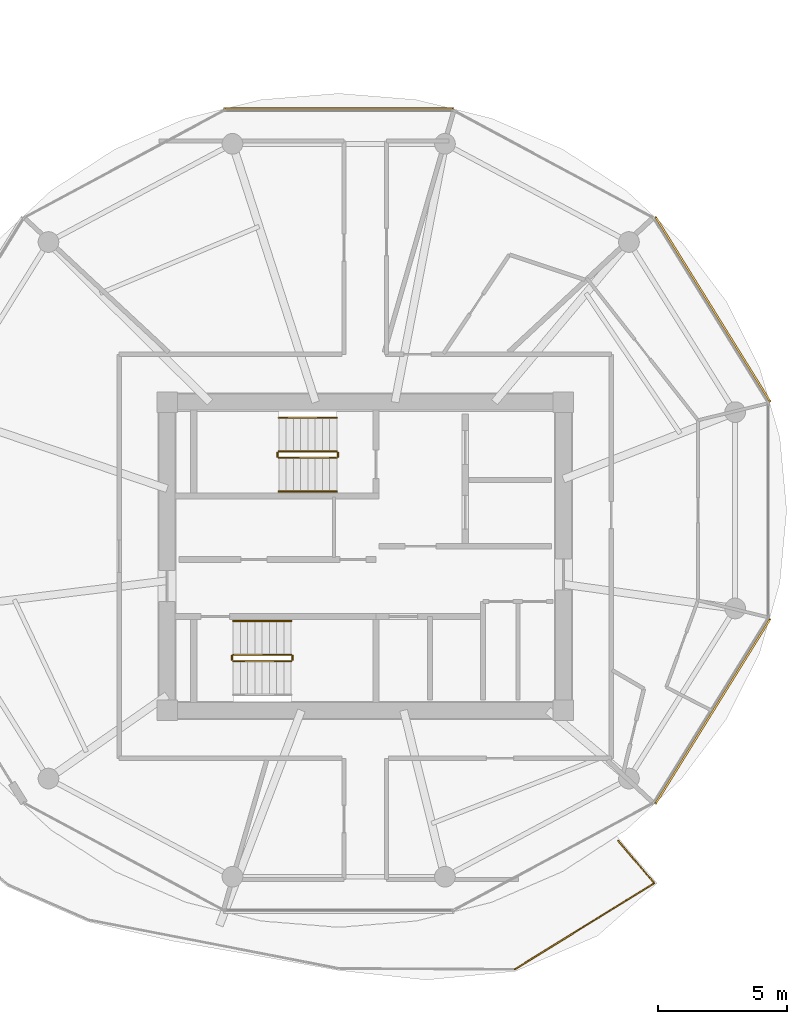
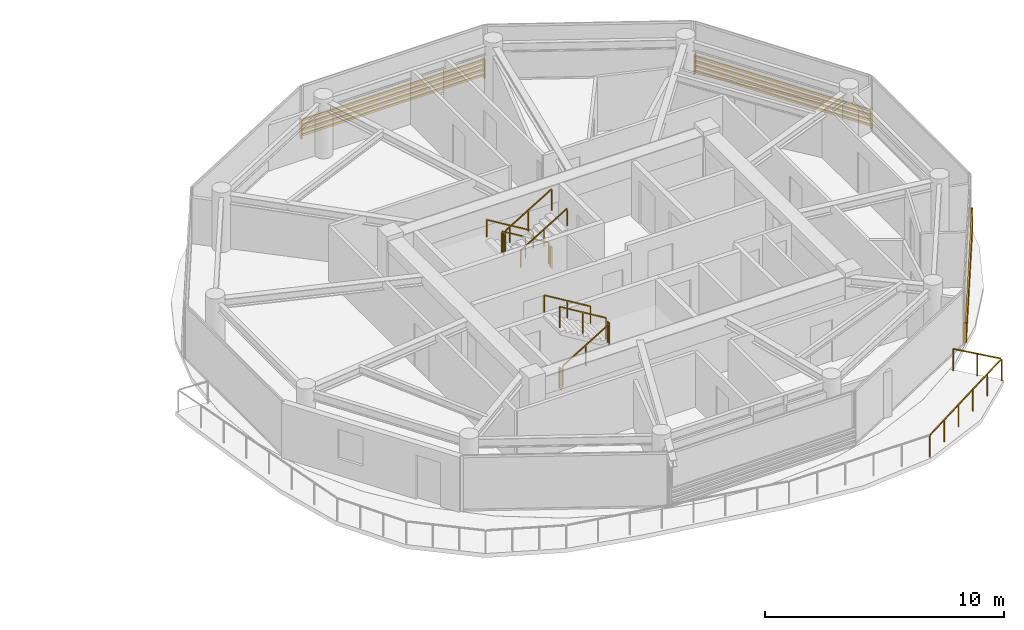
# One storey, part 21 of 21: 12 railings, 3 shading devices.
"""IFC4 building model written with IfcOpenShell, lengths in metres."""

from ifc_helpers import new_model, si_unit, direction, frame, origin, origin_2d, place, context, subcontext, project, spatial, rectangle, extrude, source, transform, mapped, material, type_object, type_shapes, element, save


model = new_model("IFC4")

# Units and contexts
model_context = context("Model", 3, precision=1e-05, world=origin(), true_north=direction((0.0, 1.0)))
body_context = subcontext(model_context, "Body", "Model", "MODEL_VIEW")
ifc_project = project(units=[si_unit("LENGTHUNIT", "METRE"), si_unit("AREAUNIT", "SQUARE_METRE"), si_unit("VOLUMEUNIT", "CUBIC_METRE"), si_unit("PLANEANGLEUNIT", "RADIAN"), si_unit("MASSUNIT", "GRAM", prefix="KILO")], contexts=[model_context])

# Site, building, storey
site_placement = place(None, origin())
site = spatial("IfcSite", under=ifc_project, at=site_placement, CompositionType="ELEMENT")
building_placement = place(site_placement, origin())
building = spatial("IfcBuilding", under=site, at=building_placement, Name="Norrkilde Senior Care Towers", CompositionType="ELEMENT")
storey_placement = place(building_placement, frame((0.0, 0.0, 143.449951171875)))
storey = spatial("IfcBuildingStorey", under=building, at=storey_placement, Name="L44", CompositionType="ELEMENT", Elevation=143.449951171875)

# Railings
ifc_material_1 = material(Name="Anodised Aluminium", Category="aluminium")
railing_type_1 = type_object("IfcRailingType", Name="Balcony Swirl Ribbon Guardrail 1150", PredefinedType="GUARDRAIL", material=ifc_material_1)
railing_1_placement = place(storey_placement, frame((37.76611328125, -10.9873046875, 0.0)))
element("IfcRailing", 1, at=railing_1_placement, inside=storey, type_object=railing_type_1, Name="L44 Perimeter Safety Guard 02", PredefinedType="GUARDRAIL", context=body_context, shape_type="SweptSolid", body=[
    extrude(rectangle(XDim=0.048095703125, YDim=0.048095703125, at=origin_2d()), frame((0.0, 0.0, 1.1259765625), z_axis=(0.649275196143, -0.760553561344, 0.0), x_axis=(0.760553561344, 0.649275196143, 0.0)), (0.0, 0.0, 1.0), 2.109130859375),
    extrude(rectangle(XDim=0.048095703125, YDim=0.048095703125, at=origin_2d()), frame((1.361328125, -1.65673828125, 1.1259765625), z_axis=(-0.850857340543, -0.525396789146, 0.0), x_axis=(0.525396789146, -0.850857340543, 0.0)), (0.0, 0.0, 1.0), 6.2880859375),
    extrude(rectangle(XDim=0.0419921875, YDim=0.0419921875, at=origin_2d()), origin(), (0.0, 0.0, 1.0), 1.099853515625),
    extrude(rectangle(XDim=0.0419921875, YDim=0.0419921875, at=origin_2d()), frame((0.697998046875, -0.817626953125, 0.0)), (0.0, 0.0, 1.0), 1.099853515625),
    extrude(rectangle(XDim=0.0419921875, YDim=0.0419921875, at=origin_2d()), frame((1.39599609375, -1.63525390625, 0.0)), (0.0, 0.0, 1.0), 1.099853515625),
    extrude(rectangle(XDim=0.0419921875, YDim=0.0419921875, at=origin_2d()), frame((0.319091796875, -2.30029296875, 0.0)), (0.0, 0.0, 1.0), 1.099853515625),
    extrude(rectangle(XDim=0.0419921875, YDim=0.0419921875, at=origin_2d()), frame((-0.758056640625, -2.96533203125, 0.0)), (0.0, 0.0, 1.0), 1.099853515625),
    extrude(rectangle(XDim=0.0419921875, YDim=0.0419921875, at=origin_2d()), frame((-1.8349609375, -3.63037109375, 0.0)), (0.0, 0.0, 1.0), 1.099853515625),
    extrude(rectangle(XDim=0.0419921875, YDim=0.0419921875, at=origin_2d()), frame((-2.912109375, -4.29541015625, 0.0)), (0.0, 0.0, 1.0), 1.099853515625),
    extrude(rectangle(XDim=0.0419921875, YDim=0.0419921875, at=origin_2d()), frame((-3.989013671875, -4.96044921875, 0.0)), (0.0, 0.0, 1.0), 1.099853515625),
])
ifc_material_2 = material(Name="Stainless Steel", Category="steel")
railing_type_2 = type_object("IfcRailingType", Name="Stair and Terrace Guardrail 1100", PredefinedType="GUARDRAIL", material=ifc_material_2)
railing_2_placement = place(storey_placement, frame((26.89990234375, 4.050048828125, 0.16943359375)))
element("IfcRailing", 2, at=railing_2_placement, inside=storey, type_object=railing_type_2, Name="L44 ST-E1 stair guard 1", PredefinedType="GUARDRAIL", context=body_context, shape_type="SweptSolid", body=[
    extrude(rectangle(XDim=0.048095703125, YDim=0.048095703125, at=origin_2d()), frame((0.0, 0.0, 1.076171875), z_axis=(-0.855512035549, 0.0, 0.517782924622), x_axis=(0.0, -1.0, 0.0)), (0.0, 0.0, 1.0), 2.618408203125),
    extrude(rectangle(XDim=0.0419921875, YDim=0.0419921875, at=origin_2d()), origin(), (0.0, 0.0, 1.0), 1.050048828125),
    extrude(rectangle(XDim=0.0419921875, YDim=0.0419921875, at=origin_2d()), frame((-1.1201171875, 0.0, 0.677734375)), (0.0, 0.0, 1.0), 1.050048828125),
    extrude(rectangle(XDim=0.0419921875, YDim=0.0419921875, at=origin_2d()), frame((-2.239990234375, 0.0, 1.355712890625)), (0.0, 0.0, 1.0), 1.050048828125),
])
railing_3_placement = place(storey_placement, frame((24.610107421875, 4.0, 1.525146484375)))
element("IfcRailing", 3, at=railing_3_placement, inside=storey, type_object=railing_type_2, Name="L44 ST-E1 stair guard 2", PredefinedType="GUARDRAIL", context=body_context, shape_type="SweptSolid", body=[
    extrude(rectangle(XDim=0.048095703125, YDim=0.048095703125, at=origin_2d()), frame((0.0, 0.0, 1.076171875), z_axis=(0.0, -1.0, 0.0), x_axis=(1.0, 0.0, 0.0)), (0.0, 0.0, 1.0), 0.14990234375),
    extrude(rectangle(XDim=0.0419921875, YDim=0.0419921875, at=origin_2d()), origin(), (0.0, 0.0, 1.0), 1.050048828125),
    extrude(rectangle(XDim=0.0419921875, YDim=0.0419921875, at=origin_2d()), frame((0.0, -0.14990234375, 0.0)), (0.0, 0.0, 1.0), 1.050048828125),
])
railing_4_placement = place(storey_placement, frame((24.659912109375, 3.800048828125, 1.694580078125)))
element("IfcRailing", 4, at=railing_4_placement, inside=storey, type_object=railing_type_2, Name="L44 ST-E1 stair guard 3", PredefinedType="GUARDRAIL", context=body_context, shape_type="SweptSolid", body=[
    extrude(rectangle(XDim=0.048095703125, YDim=0.048095703125, at=origin_2d()), frame((0.0, 0.0, 1.076171875), z_axis=(0.855553338991, 0.0, 0.51771467445), x_axis=(0.0, 1.0, 0.0)), (0.0, 0.0, 1.0), 2.6181640625),
    extrude(rectangle(XDim=0.0419921875, YDim=0.0419921875, at=origin_2d()), origin(), (0.0, 0.0, 1.0), 1.050048828125),
    extrude(rectangle(XDim=0.0419921875, YDim=0.0419921875, at=origin_2d()), frame((1.1201171875, 0.0, 0.677734375)), (0.0, 0.0, 1.0), 1.050048828125),
    extrude(rectangle(XDim=0.0419921875, YDim=0.0419921875, at=origin_2d()), frame((2.239990234375, 0.0, 1.35546875)), (0.0, 0.0, 1.0), 1.050048828125),
])
railing_5_placement = place(storey_placement, frame((26.949951171875, 4.0, 0.0)))
element("IfcRailing", 5, at=railing_5_placement, inside=storey, type_object=railing_type_2, Name="L44 ST-E1 stair guard 4", PredefinedType="GUARDRAIL", context=body_context, shape_type="SweptSolid", body=[
    extrude(rectangle(XDim=0.048095703125, YDim=0.048095703125, at=origin_2d()), frame((0.0, 0.0, 1.076171875), z_axis=(0.0, -1.0, 0.0), x_axis=(1.0, 0.0, 0.0)), (0.0, 0.0, 1.0), 0.14990234375),
    extrude(rectangle(XDim=0.0419921875, YDim=0.0419921875, at=origin_2d()), origin(), (0.0, 0.0, 1.0), 1.050048828125),
    extrude(rectangle(XDim=0.0419921875, YDim=0.0419921875, at=origin_2d()), frame((0.0, -0.14990234375, 0.0)), (0.0, 0.0, 1.0), 1.050048828125),
])
railing_6_placement = place(storey_placement, frame((22.89990234375, -4.050048828125, 0.16943359375)))
element("IfcRailing", 6, at=railing_6_placement, inside=storey, type_object=railing_type_2, Name="L44 ST-E2 stair guard 1", PredefinedType="GUARDRAIL", context=body_context, shape_type="SweptSolid", body=[
    extrude(rectangle(XDim=0.048095703125, YDim=0.048095703125, at=origin_2d()), frame((0.0, 0.0, 1.076171875), z_axis=(0.855512035549, 0.0, 0.517782924622), x_axis=(0.0, 1.0, 0.0)), (0.0, 0.0, 1.0), 2.618408203125),
    extrude(rectangle(XDim=0.0419921875, YDim=0.0419921875, at=origin_2d()), origin(), (0.0, 0.0, 1.0), 1.050048828125),
    extrude(rectangle(XDim=0.0419921875, YDim=0.0419921875, at=origin_2d()), frame((1.1201171875, 0.0, 0.677734375)), (0.0, 0.0, 1.0), 1.050048828125),
    extrude(rectangle(XDim=0.0419921875, YDim=0.0419921875, at=origin_2d()), frame((2.239990234375, 0.0, 1.355712890625)), (0.0, 0.0, 1.0), 1.050048828125),
])
railing_7_placement = place(storey_placement, frame((25.18994140625, -4.0, 1.525146484375)))
element("IfcRailing", 7, at=railing_7_placement, inside=storey, type_object=railing_type_2, Name="L44 ST-E2 stair guard 2", PredefinedType="GUARDRAIL", context=body_context, shape_type="SweptSolid", body=[
    extrude(rectangle(XDim=0.048095703125, YDim=0.048095703125, at=origin_2d()), frame((0.0, 0.0, 1.076171875), z_axis=(0.0, 1.0, 0.0), x_axis=(-1.0, 0.0, 0.0)), (0.0, 0.0, 1.0), 0.14990234375),
    extrude(rectangle(XDim=0.0419921875, YDim=0.0419921875, at=origin_2d()), origin(), (0.0, 0.0, 1.0), 1.050048828125),
    extrude(rectangle(XDim=0.0419921875, YDim=0.0419921875, at=origin_2d()), frame((0.0, 0.14990234375, 0.0)), (0.0, 0.0, 1.0), 1.050048828125),
])
railing_8_placement = place(storey_placement, frame((25.139892578125, -3.800048828125, 1.694580078125)))
element("IfcRailing", 8, at=railing_8_placement, inside=storey, type_object=railing_type_2, Name="L44 ST-E2 stair guard 3", PredefinedType="GUARDRAIL", context=body_context, shape_type="SweptSolid", body=[
    extrude(rectangle(XDim=0.048095703125, YDim=0.048095703125, at=origin_2d()), frame((0.0, 0.0, 1.076171875), z_axis=(-0.855553338991, 0.0, 0.51771467445), x_axis=(0.0, -1.0, 0.0)), (0.0, 0.0, 1.0), 2.6181640625),
    extrude(rectangle(XDim=0.0419921875, YDim=0.0419921875, at=origin_2d()), origin(), (0.0, 0.0, 1.0), 1.050048828125),
    extrude(rectangle(XDim=0.0419921875, YDim=0.0419921875, at=origin_2d()), frame((-1.1201171875, 0.0, 0.677734375)), (0.0, 0.0, 1.0), 1.050048828125),
    extrude(rectangle(XDim=0.0419921875, YDim=0.0419921875, at=origin_2d()), frame((-2.239990234375, 0.0, 1.35546875)), (0.0, 0.0, 1.0), 1.050048828125),
])
railing_9_placement = place(storey_placement, frame((22.85009765625, -4.0, 0.0)))
element("IfcRailing", 9, at=railing_9_placement, inside=storey, type_object=railing_type_2, Name="L44 ST-E2 stair guard 4", PredefinedType="GUARDRAIL", context=body_context, shape_type="SweptSolid", body=[
    extrude(rectangle(XDim=0.048095703125, YDim=0.048095703125, at=origin_2d()), frame((0.0, 0.0, 1.076171875), z_axis=(0.0, 1.0, 0.0), x_axis=(-1.0, 0.0, 0.0)), (0.0, 0.0, 1.0), 0.14990234375),
    extrude(rectangle(XDim=0.0419921875, YDim=0.0419921875, at=origin_2d()), origin(), (0.0, 0.0, 1.0), 1.050048828125),
    extrude(rectangle(XDim=0.0419921875, YDim=0.0419921875, at=origin_2d()), frame((0.0, 0.14990234375, 0.0)), (0.0, 0.0, 1.0), 1.050048828125),
])
ifc_material_3 = material(Name="Nordic Ash Timber", Category="wood")
railing_type_3 = type_object("IfcRailingType", Name="Wall and Stair Handrail 900", PredefinedType="HANDRAIL", material=ifc_material_3)
railing_10_placement = place(storey_placement, frame((26.89990234375, 5.35009765625, 0.16943359375)))
element("IfcRailing", 10, at=railing_10_placement, inside=storey, type_object=railing_type_3, Name="L44 ST-E1 stair handrail 1", PredefinedType="HANDRAIL", context=body_context, shape_type="SweptSolid", body=[
    extrude(rectangle(XDim=0.048095703125, YDim=0.048095703125, at=origin_2d()), frame((0.0, 0.0, 0.8759765625), z_axis=(-0.855512035549, 0.0, 0.517782924622), x_axis=(0.0, -1.0, 0.0)), (0.0, 0.0, 1.0), 2.618408203125),
    extrude(rectangle(XDim=0.0419921875, YDim=0.0419921875, at=origin_2d()), origin(), (0.0, 0.0, 1.0), 0.849853515625),
    extrude(rectangle(XDim=0.0419921875, YDim=0.0419921875, at=origin_2d()), frame((-1.1201171875, 0.0, 0.677734375)), (0.0, 0.0, 1.0), 0.849853515625),
    extrude(rectangle(XDim=0.0419921875, YDim=0.0419921875, at=origin_2d()), frame((-2.239990234375, 0.0, 1.355712890625)), (0.0, 0.0, 1.0), 0.849853515625),
])
railing_11_placement = place(storey_placement, frame((24.659912109375, 2.5, 1.694580078125)))
element("IfcRailing", 11, at=railing_11_placement, inside=storey, type_object=railing_type_3, Name="L44 ST-E1 stair handrail 2", PredefinedType="HANDRAIL", context=body_context, shape_type="SweptSolid", body=[
    extrude(rectangle(XDim=0.048095703125, YDim=0.048095703125, at=origin_2d()), frame((0.0, 0.0, 0.8759765625), z_axis=(0.855553338991, 0.0, 0.51771467445), x_axis=(0.0, 1.0, 0.0)), (0.0, 0.0, 1.0), 2.6181640625),
    extrude(rectangle(XDim=0.0419921875, YDim=0.0419921875, at=origin_2d()), origin(), (0.0, 0.0, 1.0), 0.849853515625),
    extrude(rectangle(XDim=0.0419921875, YDim=0.0419921875, at=origin_2d()), frame((1.1201171875, 0.0, 0.677734375)), (0.0, 0.0, 1.0), 0.849853515625),
    extrude(rectangle(XDim=0.0419921875, YDim=0.0419921875, at=origin_2d()), frame((2.239990234375, 0.0, 1.35546875)), (0.0, 0.0, 1.0), 0.849853515625),
])
railing_12_placement = place(storey_placement, frame((25.139892578125, -2.5, 1.694580078125)))
element("IfcRailing", 12, at=railing_12_placement, inside=storey, type_object=railing_type_3, Name="L44 ST-E2 stair handrail 2", PredefinedType="HANDRAIL", context=body_context, shape_type="SweptSolid", body=[
    extrude(rectangle(XDim=0.048095703125, YDim=0.048095703125, at=origin_2d()), frame((0.0, 0.0, 0.8759765625), z_axis=(-0.855553338991, 0.0, 0.51771467445), x_axis=(0.0, -1.0, 0.0)), (0.0, 0.0, 1.0), 2.6181640625),
    extrude(rectangle(XDim=0.0419921875, YDim=0.0419921875, at=origin_2d()), origin(), (0.0, 0.0, 1.0), 0.849853515625),
    extrude(rectangle(XDim=0.0419921875, YDim=0.0419921875, at=origin_2d()), frame((-1.1201171875, 0.0, 0.677734375)), (0.0, 0.0, 1.0), 0.849853515625),
    extrude(rectangle(XDim=0.0419921875, YDim=0.0419921875, at=origin_2d()), frame((-2.239990234375, 0.0, 1.35546875)), (0.0, 0.0, 1.0), 0.849853515625),
])

# Shading devices
ifc_material_4 = material(Name="Architectural Terracotta", Category="masonry")
shading_device_type = type_object("IfcShadingDeviceType", Name="Horizontal Terracotta Baguette Rack", PredefinedType="USERDEFINED", material=ifc_material_4)
shared_shape_1 = source(origin(), body_context, "Body", "SweptSolid", [
    extrude(rectangle(XDim=0.070068359375, YDim=0.110107421875, at=origin_2d()), frame((0.0, 0.090087890625, 0.125), z_axis=(1.0, 0.0, 0.0), x_axis=(0.0, 1.0, 0.0)), (0.0, 0.0, 1.0), 8.89306640625),
    extrude(rectangle(XDim=0.070068359375, YDim=0.110107421875, at=origin_2d()), frame((0.0, 0.090087890625, 0.375), z_axis=(1.0, 0.0, 0.0), x_axis=(0.0, 1.0, 0.0)), (0.0, 0.0, 1.0), 8.89306640625),
    extrude(rectangle(XDim=0.070068359375, YDim=0.110107421875, at=origin_2d()), frame((0.0, 0.090087890625, 0.625), z_axis=(1.0, 0.0, 0.0), x_axis=(0.0, 1.0, 0.0)), (0.0, 0.0, 1.0), 8.89306640625),
    extrude(rectangle(XDim=0.070068359375, YDim=0.110107421875, at=origin_2d()), frame((0.0, 0.090087890625, 0.875), z_axis=(1.0, 0.0, 0.0), x_axis=(0.0, 1.0, 0.0)), (0.0, 0.0, 1.0), 8.89306640625),
    extrude(rectangle(XDim=0.050048828125, YDim=0.1552734375, at=origin_2d()), frame((0.02490234375, 0.047607421875, 0.0)), (0.0, 0.0, 1.0), 1.0),
    extrude(rectangle(XDim=0.050048828125, YDim=0.1552734375, at=origin_2d()), frame((8.8681640625, 0.047607421875, 0.0)), (0.0, 0.0, 1.0), 1.0),
])
shading_device_placement = place(storey_placement, frame((22.528564453125, 17.2109375, 0.080078125), z_axis=(0.0, 0.0, 1.0), x_axis=(1.0, 0.0, 0.0)))
element("IfcShadingDevice", 13, at=shading_device_placement, inside=storey, type_object=shading_device_type, Name="L44 Drum E Terracotta Baguette Screen 02", ObjectType="BAGUETTE", PredefinedType="USERDEFINED", context=body_context, shape_type="MappedRepresentation", body=[
    mapped(shared_shape_1, transform((0.0, 0.0, 0.0), x_axis=(1.0, 0.0, 0.0), y_axis=(0.0, 1.0, 0.0), z_axis=(0.0, 0.0, 1.0), scale=1.0)),
])
shared_shape_2 = source(origin(), body_context, "Body", "SweptSolid", [
    extrude(rectangle(XDim=0.070068359375, YDim=0.110107421875, at=origin_2d()), frame((0.0, 0.090087890625, 0.125), z_axis=(1.0, 0.0, 0.0), x_axis=(0.0, 1.0, 0.0)), (0.0, 0.0, 1.0), 8.431396484375),
    extrude(rectangle(XDim=0.070068359375, YDim=0.110107421875, at=origin_2d()), frame((0.0, 0.090087890625, 0.375), z_axis=(1.0, 0.0, 0.0), x_axis=(0.0, 1.0, 0.0)), (0.0, 0.0, 1.0), 8.431396484375),
    extrude(rectangle(XDim=0.070068359375, YDim=0.110107421875, at=origin_2d()), frame((0.0, 0.090087890625, 0.625), z_axis=(1.0, 0.0, 0.0), x_axis=(0.0, 1.0, 0.0)), (0.0, 0.0, 1.0), 8.431396484375),
    extrude(rectangle(XDim=0.070068359375, YDim=0.110107421875, at=origin_2d()), frame((0.0, 0.090087890625, 0.875), z_axis=(1.0, 0.0, 0.0), x_axis=(0.0, 1.0, 0.0)), (0.0, 0.0, 1.0), 8.431396484375),
    extrude(rectangle(XDim=0.050048828125, YDim=0.1552734375, at=origin_2d()), frame((0.02490234375, 0.047607421875, 0.0)), (0.0, 0.0, 1.0), 1.0),
    extrude(rectangle(XDim=0.050048828125, YDim=0.1552734375, at=origin_2d()), frame((8.40625, 0.047607421875, 0.0)), (0.0, 0.0, 1.0), 1.0),
])
type_shapes(shading_device_type, [shared_shape_1, shared_shape_2])
for number, where, z_axis, x_axis, name in (
    (14, (39.123046875, 13.074951171875, 0.080078125), (0.0, 0.0, 1.0), (0.527378022296, -0.849630809324, 0.0), "L44 Drum E Terracotta Baguette Screen 00"),
    (15, (43.569580078125, -2.360595703125, 0.080078125), (0.0, 0.0, 1.0), (-0.527378022296, -0.849630809324, 0.0), "L44 Drum E Terracotta Baguette Screen 10"),
):
    element("IfcShadingDevice", number, at=place(storey_placement, frame(where, z_axis=z_axis, x_axis=x_axis)), inside=storey, type_object=shading_device_type, Name=name, ObjectType="BAGUETTE", PredefinedType="USERDEFINED", context=body_context, shape_type="MappedRepresentation", body=[
        mapped(shared_shape_2, transform((0.0, 0.0, 0.0), x_axis=(1.0, 0.0, 0.0), y_axis=(0.0, 1.0, 0.0), z_axis=(0.0, 0.0, 1.0), scale=1.0)),
    ])

save(model, "model.ifc")
